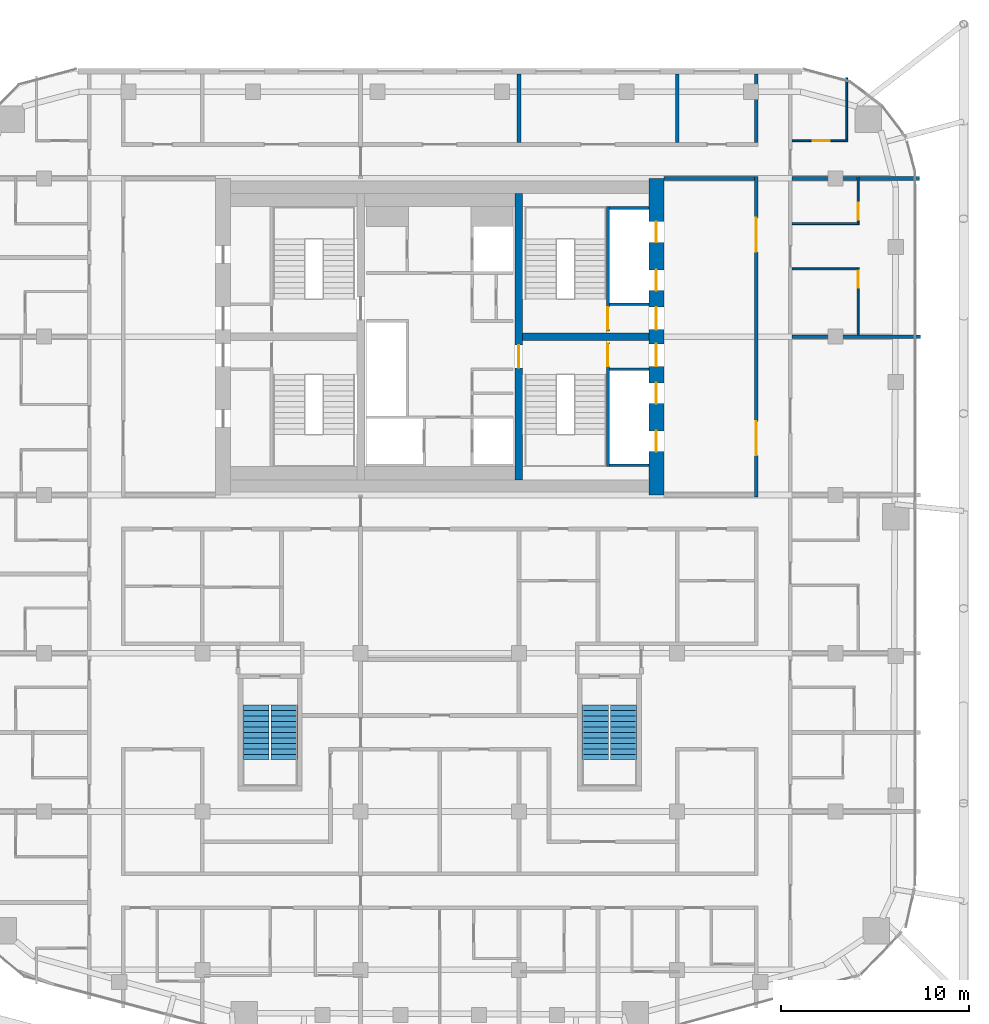
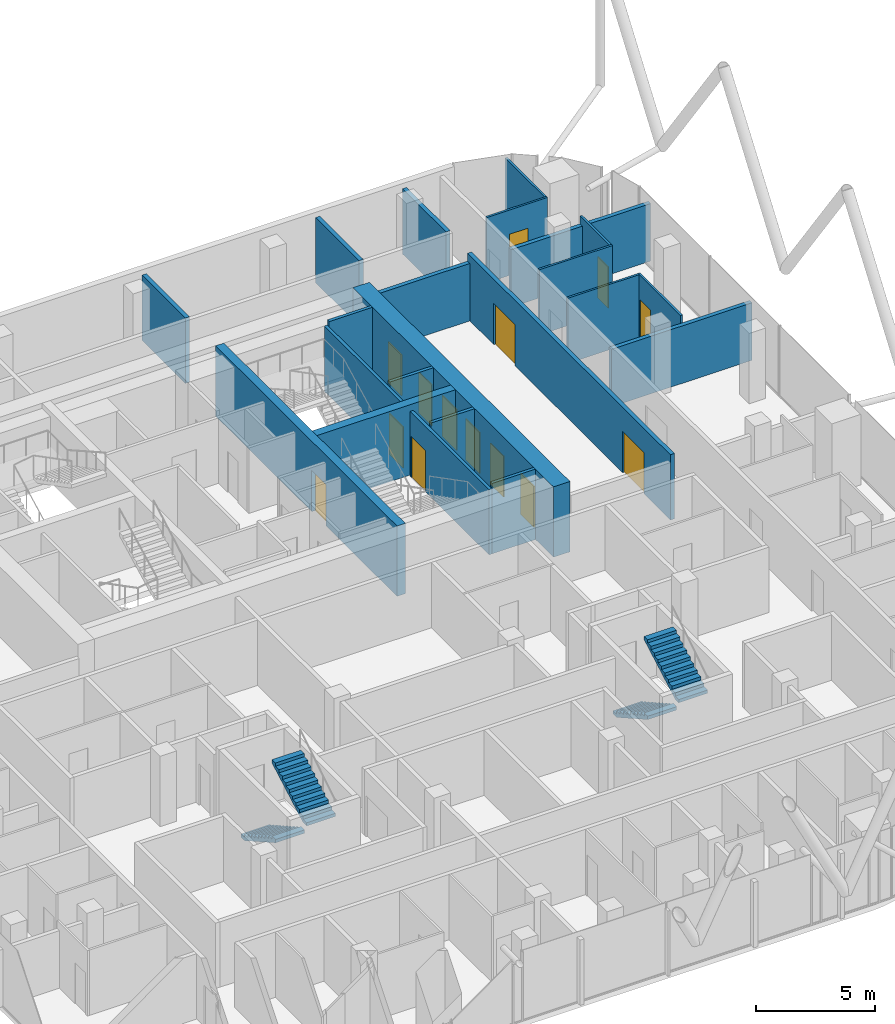
# One storey, part 29 of 31: 22 walls, 14 doors, 4 stair flights, 14 openings, 2 elements without a shape of their own.
"""IFC4 building model written with IfcOpenShell, lengths in metres."""

from ifc_helpers import new_model, si_unit, direction, frame, frame_2d, origin, place, context, subcontext, project, spatial, polyline, rectangle, outline, extrude, material, layer, layer_set, type_object, element, fill, aggregate, save


model = new_model("IFC4")

# Units and contexts
model_context = context("Model", 3, precision=1e-05, world=origin(), true_north=direction((0.0, 1.0)))
body_context = subcontext(model_context, "Body", "Model", "MODEL_VIEW")
ifc_project = project(units=[si_unit("LENGTHUNIT", "METRE"), si_unit("AREAUNIT", "SQUARE_METRE"), si_unit("VOLUMEUNIT", "CUBIC_METRE"), si_unit("PLANEANGLEUNIT", "RADIAN"), si_unit("MASSUNIT", "GRAM", prefix="KILO")], contexts=[model_context])

# Site, building, storey
site_placement = place(None, origin())
site = spatial("IfcSite", under=ifc_project, at=site_placement, CompositionType="ELEMENT")
building_placement = place(site_placement, origin())
building = spatial("IfcBuilding", under=site, at=building_placement, Name="Marenta Gate Hotel Tower", CompositionType="ELEMENT")
storey_placement = place(building_placement, frame((0.0, 0.0, 220.10009765625)))
storey = spatial("IfcBuildingStorey", under=building, at=storey_placement, Name="L51", CompositionType="ELEMENT", Elevation=220.10009765625)

# Wall, openings, doors
ifc_material_1 = material(Name="Concrete blockwork", Category="masonry")
ifc_layer_1 = layer(ifc_material_1, 0.199951171875)
ifc_layer_set_1 = layer_set([ifc_layer_1], Name="Concrete blockwork")
wall_type_1 = type_object("IfcWallType", Name="Core boundary wall 200 REI 180", PredefinedType="PARTITIONING", material=ifc_layer_set_1)
wall_1_placement = place(storey_placement, frame((16.800048828125, -0.10009765625, 0.0), z_axis=(0.0, 0.0, 1.0), x_axis=(0.0, 1.0, 0.0)))
wall_1 = element("IfcWall", 1, at=wall_1_placement, inside=storey, type_object=wall_type_1, Name="L51-CP-BW-E", PredefinedType="PARTITIONING", context=body_context, shape_type="SweptSolid", body=[
    extrude(rectangle(XDim=17.0, YDim=0.199951171875, at=frame_2d((8.5, 0.0))), origin(), (0.0, 0.0, 1.0), 3.33984375),
])
opening_1_placement = place(wall_1_placement, frame((2.199951171875, 0.0, 0.0)))
opening_1 = element("IfcOpeningElement", 2, at=opening_1_placement, cuts=wall_1, Name="Opening ED-Ea-B", PredefinedType="OPENING", context=body_context, shape_type="SweptSolid", body=[
    extrude(rectangle(XDim=1.800048828125, YDim=2.10009765625, at=frame_2d((0.89990234375, 1.050048828125))), frame((0.0, 0.10009765625, 0.0), z_axis=(0.0, -1.0, 0.0), x_axis=(1.0, 0.0, 0.0)), (0.0, 0.0, 1.0), 0.199951171875),
])
opening_2_placement = place(wall_1_placement, frame((13.0, 0.0, 0.0)))
opening_2 = element("IfcOpeningElement", 3, at=opening_2_placement, cuts=wall_1, Name="Opening ED-Eb-B", PredefinedType="OPENING", context=body_context, shape_type="SweptSolid", body=[
    extrude(rectangle(XDim=1.800048828125, YDim=2.10009765625, at=frame_2d((0.89990234375, 1.050048828125))), frame((0.0, 0.10009765625, 0.0), z_axis=(0.0, -1.0, 0.0), x_axis=(1.0, 0.0, 0.0)), (0.0, 0.0, 1.0), 0.199951171875),
])
ifc_material_2 = material(Name="Steel", Category="steel")
door_type_1 = type_object("IfcDoorType", Name="Core lobby entrance door 1800x2100 EI 60", OperationType="DOUBLE_DOOR_SINGLE_SWING", PredefinedType="DOOR", material=ifc_material_2)
door_1_placement = place(opening_1_placement, origin())
door_1 = element("IfcDoor", 4, at=door_1_placement, inside=storey, type_object=door_type_1, Name="ED-Ea-B", OperationType="DOUBLE_DOOR_SINGLE_SWING", OverallHeight=2.10009765625, OverallWidth=1.800048828125, PredefinedType="DOOR", context=body_context, shape_type="SweptSolid", body=[
    extrude(rectangle(XDim=1.800048828125, YDim=2.10009765625, at=frame_2d((0.89990234375, 1.050048828125))), frame((0.0, 0.02490234375, 0.0), z_axis=(0.0, -1.0, 0.0), x_axis=(1.0, 0.0, 0.0)), (0.0, 0.0, 1.0), 0.050048828125),
])
fill(opening_1, door_1)
door_2_placement = place(opening_2_placement, origin())
door_2 = element("IfcDoor", 5, at=door_2_placement, inside=storey, type_object=door_type_1, Name="ED-Eb-B", OperationType="DOUBLE_DOOR_SINGLE_SWING", OverallHeight=2.10009765625, OverallWidth=1.800048828125, PredefinedType="DOOR", context=body_context, shape_type="SweptSolid", body=[
    extrude(rectangle(XDim=1.800048828125, YDim=2.10009765625, at=frame_2d((0.89990234375, 1.050048828125))), frame((0.0, 0.02490234375, 0.0), z_axis=(0.0, -1.0, 0.0), x_axis=(1.0, 0.0, 0.0)), (0.0, 0.0, 1.0), 0.050048828125),
])
fill(opening_2, door_2)

# Walls
wall_2_placement = place(storey_placement, frame((11.89990234375, 16.800048828125, 0.0), z_axis=(0.0, 0.0, 1.0), x_axis=(1.0, 0.0, 0.0)))
element("IfcWall", 6, at=wall_2_placement, inside=storey, type_object=wall_type_1, Name="L51-CP-EW-EN", PredefinedType="PARTITIONING", context=body_context, shape_type="SweptSolid", body=[
    extrude(rectangle(XDim=4.800048828125, YDim=0.199951171875, at=frame_2d((2.39990234375, 0.0))), origin(), (0.0, 0.0, 1.0), 2.93994140625),
])
ifc_material_3 = material(Name="Concrete C40", Category="concrete")
ifc_layer_2 = layer(ifc_material_3, 0.14990234375)
ifc_layer_set_2 = layer_set([ifc_layer_2], Name="Concrete C40")
wall_type_2 = type_object("IfcWallType", Name="Core shaft wall 150 REI 180", PredefinedType="SHEAR", material=ifc_layer_set_2)
for number, where, z_axis, x_axis, name in (
    (7, (9.0, 6.675048828125, 0.0), (0.0, 0.0, 1.0), (1.0, 0.0, 0.0), "L51-SHF-SW-ES-2"),
    (8, (9.0, 1.574951171875, 0.0), (0.0, 0.0, 1.0), (1.0, 0.0, 0.0), "L51-SHF-SW-ES-5"),
    (9, (9.0, 10.125, 0.0), (0.0, 0.0, 1.0), (1.0, 0.0, 0.0), "L51-SHF-SW-EN-2"),
    (10, (9.0, 15.22509765625, 0.0), (0.0, 0.0, 1.0), (1.0, 0.0, 0.0), "L51-SHF-SW-EN-5"),
):
    element("IfcWall", number, at=place(storey_placement, frame(where, z_axis=z_axis, x_axis=x_axis)), inside=storey, type_object=wall_type_2, Name=name, PredefinedType="SHEAR", context=body_context, shape_type="SweptSolid", body=[
        extrude(rectangle(XDim=2.10009765625, YDim=0.14990234375, at=frame_2d((1.050048828125, 0.0))), origin(), (0.0, 0.0, 1.0), 3.599853515625),
    ])

# Wall, opening, door
ifc_material_4 = material(Name="Concrete C40", Category="concrete")
ifc_layer_3 = layer(ifc_material_4, 0.14990234375)
ifc_layer_set_3 = layer_set([ifc_layer_3], Name="Concrete C40")
wall_type_3 = type_object("IfcWallType", Name="Core stair enclosure wall 150 REI 180", PredefinedType="SHEAR", material=ifc_layer_set_3)
wall_3_placement = place(storey_placement, frame((8.925048828125, 1.5, 0.0), z_axis=(0.0, 0.0, 1.0), x_axis=(0.0, 1.0, 0.0)))
wall_3 = element("IfcWall", 11, at=wall_3_placement, inside=storey, type_object=wall_type_3, Name="L51-SHF-SW-ES-3", PredefinedType="SHEAR", context=body_context, shape_type="SweptSolid", body=[
    extrude(rectangle(XDim=6.60009765625, YDim=0.14990234375, at=frame_2d((3.300048828125, 0.0))), origin(), (0.0, 0.0, 1.0), 3.33984375),
])
opening_3_placement = place(wall_3_placement, frame((5.324951171875, 0.0, 0.0)))
opening_3 = element("IfcOpeningElement", 12, at=opening_3_placement, cuts=wall_3, Name="Opening SD-ES", PredefinedType="OPENING", context=body_context, shape_type="SweptSolid", body=[
    extrude(rectangle(XDim=1.199951171875, YDim=2.10009765625, at=frame_2d((0.60009765625, 1.050048828125))), frame((0.0, 0.074951171875, 0.0), z_axis=(0.0, -1.0, 0.0), x_axis=(1.0, 0.0, 0.0)), (0.0, 0.0, 1.0), 0.14990234375),
])
ifc_material_5 = material(Name="Steel", Category="steel")
door_type_2 = type_object("IfcDoorType", Name="Core stair door 1200x2100 FD60", OperationType="SINGLE_SWING_LEFT", PredefinedType="DOOR", material=ifc_material_5)
door_3_placement = place(opening_3_placement, origin())
door_3 = element("IfcDoor", 13, at=door_3_placement, inside=storey, type_object=door_type_2, Name="SD-ES", OperationType="SINGLE_SWING_LEFT", OverallHeight=2.10009765625, OverallWidth=1.199951171875, PredefinedType="DOOR", context=body_context, shape_type="SweptSolid", body=[
    extrude(rectangle(XDim=1.199951171875, YDim=2.10009765625, at=frame_2d((0.60009765625, 1.050048828125))), frame((0.0, 0.02490234375, 0.0), z_axis=(0.0, -1.0, 0.0), x_axis=(1.0, 0.0, 0.0)), (0.0, 0.0, 1.0), 0.050048828125),
])
fill(opening_3, door_3)

wall_4_placement = place(storey_placement, frame((8.925048828125, 8.699951171875, 0.0), z_axis=(0.0, 0.0, 1.0), x_axis=(0.0, 1.0, 0.0)))
wall_4 = element("IfcWall", 14, at=wall_4_placement, inside=storey, type_object=wall_type_3, Name="L51-SHF-SW-EN-3", PredefinedType="SHEAR", context=body_context, shape_type="SweptSolid", body=[
    extrude(rectangle(XDim=6.60009765625, YDim=0.14990234375, at=frame_2d((3.300048828125, 0.0))), origin(), (0.0, 0.0, 1.0), 3.33984375),
])
opening_4_placement = place(wall_4_placement, frame((0.074951171875, 0.0, 0.0)))
opening_4 = element("IfcOpeningElement", 15, at=opening_4_placement, cuts=wall_4, Name="Opening SD-EN", PredefinedType="OPENING", context=body_context, shape_type="SweptSolid", body=[
    extrude(rectangle(XDim=1.199951171875, YDim=2.10009765625, at=frame_2d((0.60009765625, 1.050048828125))), frame((0.0, 0.074951171875, 0.0), z_axis=(0.0, -1.0, 0.0), x_axis=(1.0, 0.0, 0.0)), (0.0, 0.0, 1.0), 0.14990234375),
])
door_4_placement = place(opening_4_placement, origin())
door_4 = element("IfcDoor", 16, at=door_4_placement, inside=storey, type_object=door_type_2, Name="SD-EN", OperationType="SINGLE_SWING_LEFT", OverallHeight=2.10009765625, OverallWidth=1.199951171875, PredefinedType="DOOR", context=body_context, shape_type="SweptSolid", body=[
    extrude(rectangle(XDim=1.199951171875, YDim=2.10009765625, at=frame_2d((0.60009765625, 1.050048828125))), frame((0.0, 0.02490234375, 0.0), z_axis=(0.0, -1.0, 0.0), x_axis=(1.0, 0.0, 0.0)), (0.0, 0.0, 1.0), 0.050048828125),
])
fill(opening_4, door_4)

# Wall, openings, doors
ifc_material_6 = material(Name="Concrete C60", Category="concrete")
ifc_layer_4 = layer(ifc_material_6, 0.800048828125)
ifc_layer_set_4 = layer_set([ifc_layer_4], Name="Concrete C60")
wall_type_4 = type_object("IfcWallType", Name="Core wall 800 C60", PredefinedType="SHEAR", material=ifc_layer_set_4)
wall_5_placement = place(storey_placement, frame((11.5, 0.0, 0.0), z_axis=(0.0, 0.0, 1.0), x_axis=(0.0, 1.0, 0.0)))
wall_5 = element("IfcWall", 17, at=wall_5_placement, inside=storey, type_object=wall_type_4, Name="L51-CORE-E", PredefinedType="SHEAR", context=body_context, shape_type="SweptSolid", body=[
    extrude(rectangle(XDim=16.800048828125, YDim=0.800048828125, at=frame_2d((8.39990234375, 0.0))), origin(), (0.0, 0.0, 1.0), 3.599853515625),
])
opening_5_placement = place(wall_5_placement, frame((2.300048828125, 0.0, 0.0)))
opening_5 = element("IfcOpeningElement", 18, at=opening_5_placement, cuts=wall_5, Name="Opening LD-HR1", PredefinedType="OPENING", context=body_context, shape_type="SweptSolid", body=[
    extrude(rectangle(XDim=1.10009765625, YDim=2.10009765625, at=frame_2d((0.550048828125, 1.050048828125))), frame((0.0, 0.39990234375, 0.0), z_axis=(0.0, -1.0, 0.0), x_axis=(1.0, 0.0, 0.0)), (0.0, 0.0, 1.0), 0.800048828125),
])
opening_6_placement = place(wall_5_placement, frame((4.85009765625, 0.0, 0.0)))
opening_6 = element("IfcOpeningElement", 19, at=opening_6_placement, cuts=wall_5, Name="Opening LD-HR2", PredefinedType="OPENING", context=body_context, shape_type="SweptSolid", body=[
    extrude(rectangle(XDim=1.10009765625, YDim=2.10009765625, at=frame_2d((0.550048828125, 1.050048828125))), frame((0.0, 0.39990234375, 0.0), z_axis=(0.0, -1.0, 0.0), x_axis=(1.0, 0.0, 0.0)), (0.0, 0.0, 1.0), 0.800048828125),
])
opening_7_placement = place(wall_5_placement, frame((6.824951171875, 0.0, 0.0)))
opening_7 = element("IfcOpeningElement", 20, at=opening_7_placement, cuts=wall_5, Name="Opening PD-ES", PredefinedType="OPENING", context=body_context, shape_type="SweptSolid", body=[
    extrude(rectangle(XDim=1.199951171875, YDim=2.10009765625, at=frame_2d((0.60009765625, 1.050048828125))), frame((0.0, 0.39990234375, 0.0), z_axis=(0.0, -1.0, 0.0), x_axis=(1.0, 0.0, 0.0)), (0.0, 0.0, 1.0), 0.800048828125),
])
opening_8_placement = place(wall_5_placement, frame((13.39990234375, 0.0, 0.0)))
opening_8 = element("IfcOpeningElement", 21, at=opening_8_placement, cuts=wall_5, Name="Opening LD-HR4", PredefinedType="OPENING", context=body_context, shape_type="SweptSolid", body=[
    extrude(rectangle(XDim=1.10009765625, YDim=2.10009765625, at=frame_2d((0.550048828125, 1.050048828125))), frame((0.0, 0.39990234375, 0.0), z_axis=(0.0, -1.0, 0.0), x_axis=(1.0, 0.0, 0.0)), (0.0, 0.0, 1.0), 0.800048828125),
])
opening_9_placement = place(wall_5_placement, frame((10.85009765625, 0.0, 0.0)))
opening_9 = element("IfcOpeningElement", 22, at=opening_9_placement, cuts=wall_5, Name="Opening LD-HR3", PredefinedType="OPENING", context=body_context, shape_type="SweptSolid", body=[
    extrude(rectangle(XDim=1.10009765625, YDim=2.10009765625, at=frame_2d((0.550048828125, 1.050048828125))), frame((0.0, 0.39990234375, 0.0), z_axis=(0.0, -1.0, 0.0), x_axis=(1.0, 0.0, 0.0)), (0.0, 0.0, 1.0), 0.800048828125),
])
opening_10_placement = place(wall_5_placement, frame((8.77490234375, 0.0, 0.0)))
opening_10 = element("IfcOpeningElement", 23, at=opening_10_placement, cuts=wall_5, Name="Opening PD-EN", PredefinedType="OPENING", context=body_context, shape_type="SweptSolid", body=[
    extrude(rectangle(XDim=1.199951171875, YDim=2.10009765625, at=frame_2d((0.60009765625, 1.050048828125))), frame((0.0, 0.39990234375, 0.0), z_axis=(0.0, -1.0, 0.0), x_axis=(1.0, 0.0, 0.0)), (0.0, 0.0, 1.0), 0.800048828125),
])
ifc_material_7 = material(Name="Steel", Category="steel")
door_type_3 = type_object("IfcDoorType", Name="Core lift landing door 1100x2100 E 60", OperationType="SLIDING_TO_LEFT", PredefinedType="DOOR", material=ifc_material_7)
door_5_placement = place(opening_5_placement, origin())
door_5 = element("IfcDoor", 24, at=door_5_placement, inside=storey, type_object=door_type_3, Name="LD-HR1", OperationType="SLIDING_TO_LEFT", OverallHeight=2.10009765625, OverallWidth=1.10009765625, PredefinedType="DOOR", context=body_context, shape_type="SweptSolid", body=[
    extrude(rectangle(XDim=1.10009765625, YDim=2.10009765625, at=frame_2d((0.550048828125, 1.050048828125))), frame((0.0, 0.02490234375, 0.0), z_axis=(0.0, -1.0, 0.0), x_axis=(1.0, 0.0, 0.0)), (0.0, 0.0, 1.0), 0.050048828125),
])
fill(opening_5, door_5)
door_6_placement = place(opening_6_placement, origin())
door_6 = element("IfcDoor", 25, at=door_6_placement, inside=storey, type_object=door_type_3, Name="LD-HR2", OperationType="SLIDING_TO_LEFT", OverallHeight=2.10009765625, OverallWidth=1.10009765625, PredefinedType="DOOR", context=body_context, shape_type="SweptSolid", body=[
    extrude(rectangle(XDim=1.10009765625, YDim=2.10009765625, at=frame_2d((0.550048828125, 1.050048828125))), frame((0.0, 0.02490234375, 0.0), z_axis=(0.0, -1.0, 0.0), x_axis=(1.0, 0.0, 0.0)), (0.0, 0.0, 1.0), 0.050048828125),
])
fill(opening_6, door_6)
door_7_placement = place(opening_8_placement, origin())
door_7 = element("IfcDoor", 26, at=door_7_placement, inside=storey, type_object=door_type_3, Name="LD-HR4", OperationType="SLIDING_TO_LEFT", OverallHeight=2.10009765625, OverallWidth=1.10009765625, PredefinedType="DOOR", context=body_context, shape_type="SweptSolid", body=[
    extrude(rectangle(XDim=1.10009765625, YDim=2.10009765625, at=frame_2d((0.550048828125, 1.050048828125))), frame((0.0, 0.02490234375, 0.0), z_axis=(0.0, -1.0, 0.0), x_axis=(1.0, 0.0, 0.0)), (0.0, 0.0, 1.0), 0.050048828125),
])
fill(opening_8, door_7)
door_8_placement = place(opening_9_placement, origin())
door_8 = element("IfcDoor", 27, at=door_8_placement, inside=storey, type_object=door_type_3, Name="LD-HR3", OperationType="SLIDING_TO_LEFT", OverallHeight=2.10009765625, OverallWidth=1.10009765625, PredefinedType="DOOR", context=body_context, shape_type="SweptSolid", body=[
    extrude(rectangle(XDim=1.10009765625, YDim=2.10009765625, at=frame_2d((0.550048828125, 1.050048828125))), frame((0.0, 0.02490234375, 0.0), z_axis=(0.0, -1.0, 0.0), x_axis=(1.0, 0.0, 0.0)), (0.0, 0.0, 1.0), 0.050048828125),
])
fill(opening_9, door_8)
ifc_material_8 = material(Name="Steel", Category="steel")
door_type_4 = type_object("IfcDoorType", Name="Core lobby door 1200x2100 FD60", OperationType="SINGLE_SWING_LEFT", PredefinedType="DOOR", material=ifc_material_8)
door_9_placement = place(opening_7_placement, origin())
door_9 = element("IfcDoor", 28, at=door_9_placement, inside=storey, type_object=door_type_4, Name="PD-ES", OperationType="SINGLE_SWING_LEFT", OverallHeight=2.10009765625, OverallWidth=1.199951171875, PredefinedType="DOOR", context=body_context, shape_type="SweptSolid", body=[
    extrude(rectangle(XDim=1.199951171875, YDim=2.10009765625, at=frame_2d((0.60009765625, 1.050048828125))), frame((0.0, 0.02490234375, 0.0), z_axis=(0.0, -1.0, 0.0), x_axis=(1.0, 0.0, 0.0)), (0.0, 0.0, 1.0), 0.050048828125),
])
fill(opening_7, door_9)
door_10_placement = place(opening_10_placement, origin())
door_10 = element("IfcDoor", 29, at=door_10_placement, inside=storey, type_object=door_type_4, Name="PD-EN", OperationType="SINGLE_SWING_LEFT", OverallHeight=2.10009765625, OverallWidth=1.199951171875, PredefinedType="DOOR", context=body_context, shape_type="SweptSolid", body=[
    extrude(rectangle(XDim=1.199951171875, YDim=2.10009765625, at=frame_2d((0.60009765625, 1.050048828125))), frame((0.0, 0.02490234375, 0.0), z_axis=(0.0, -1.0, 0.0), x_axis=(1.0, 0.0, 0.0)), (0.0, 0.0, 1.0), 0.050048828125),
])
fill(opening_10, door_10)

# Wall, opening, door
ifc_material_9 = material(Name="Concrete C60", Category="concrete")
ifc_layer_5 = layer(ifc_material_9, 0.39990234375)
ifc_layer_set_5 = layer_set([ifc_layer_5], Name="Concrete C60")
wall_type_5 = type_object("IfcWallType", Name="Core web 400 C60", PredefinedType="SHEAR", material=ifc_layer_set_5)
wall_6_placement = place(storey_placement, frame((4.199951171875, 0.800048828125, 0.0), z_axis=(0.0, 0.0, 1.0), x_axis=(0.0, 1.0, 0.0)))
wall_6 = element("IfcWall", 30, at=wall_6_placement, inside=storey, type_object=wall_type_5, Name="L51-CORE-W2", PredefinedType="SHEAR", context=body_context, shape_type="SweptSolid", body=[
    extrude(rectangle(XDim=15.199951171875, YDim=0.39990234375, at=frame_2d((7.60009765625, 0.0))), origin(), (0.0, 0.0, 1.0), 3.599853515625),
])
opening_11_placement = place(wall_6_placement, frame((5.949951171875, 0.0, 0.0)))
opening_11 = element("IfcOpeningElement", 31, at=opening_11_placement, cuts=wall_6, Name="Opening WD-E", PredefinedType="OPENING", context=body_context, shape_type="SweptSolid", body=[
    extrude(rectangle(XDim=1.199951171875, YDim=2.10009765625, at=frame_2d((0.60009765625, 1.050048828125))), frame((0.0, 0.199951171875, 0.0), z_axis=(0.0, -1.0, 0.0), x_axis=(1.0, 0.0, 0.0)), (0.0, 0.0, 1.0), 0.39990234375),
])
door_11_placement = place(opening_11_placement, origin())
door_11 = element("IfcDoor", 32, at=door_11_placement, inside=storey, type_object=door_type_2, Name="WD-E", OperationType="SINGLE_SWING_LEFT", OverallHeight=2.10009765625, OverallWidth=1.199951171875, PredefinedType="DOOR", context=body_context, shape_type="SweptSolid", body=[
    extrude(rectangle(XDim=1.199951171875, YDim=2.10009765625, at=frame_2d((0.60009765625, 1.050048828125))), frame((0.0, 0.02490234375, 0.0), z_axis=(0.0, -1.0, 0.0), x_axis=(1.0, 0.0, 0.0)), (0.0, 0.0, 1.0), 0.050048828125),
])
fill(opening_11, door_11)

# Walls
wall_7_placement = place(storey_placement, frame((4.39990234375, 8.39990234375, 0.0), z_axis=(0.0, 0.0, 1.0), x_axis=(1.0, 0.0, 0.0)))
element("IfcWall", 33, at=wall_7_placement, inside=storey, type_object=wall_type_5, Name="L51-CORE-W4", PredefinedType="SHEAR", context=body_context, shape_type="SweptSolid", body=[
    extrude(rectangle(XDim=6.7001953125, YDim=0.39990234375, at=frame_2d((3.35009765625, 0.0))), origin(), (0.0, 0.0, 1.0), 3.599853515625),
])
ifc_material_10 = material(Name="Gypsum board on steel stud", Category="steel")
ifc_layer_6 = layer(ifc_material_10, 0.199951171875)
ifc_layer_set_6 = layer_set([ifc_layer_6], Name="Gypsum board on steel stud")
wall_type_6 = type_object("IfcWallType", Name="Room corridor wall 200 EI 60", PredefinedType="PARTITIONING", material=ifc_layer_set_6)
wall_8_placement = place(storey_placement, frame((16.800048828125, 18.699951171875, 0.0), z_axis=(0.0, 0.0, 1.0), x_axis=(0.0, 1.0, 0.0)))
element("IfcWall", 34, at=wall_8_placement, inside=storey, type_object=wall_type_6, Name="L51-PTN-W027", PredefinedType="PARTITIONING", context=body_context, shape_type="SweptSolid", body=[
    extrude(rectangle(XDim=3.64013671875, YDim=0.199951171875, at=frame_2d((1.820068359375, 0.0))), origin(), (0.0, 0.0, 1.0), 3.33984375),
])

# Wall, opening, door
ifc_material_11 = material(Name="Gypsum board on steel stud", Category="steel")
ifc_layer_7 = layer(ifc_material_11, 0.10009765625)
ifc_layer_set_7 = layer_set([ifc_layer_7], Name="Gypsum board on steel stud")
wall_type_7 = type_object("IfcWallType", Name="Room partition 100", PredefinedType="PARTITIONING", material=ifc_layer_set_7)
wall_9_placement = place(storey_placement, frame((22.199951171875, 8.5, 0.0), z_axis=(0.0, 0.0, 1.0), x_axis=(0.0, 1.0, 0.0)))
wall_9 = element("IfcWall", 35, at=wall_9_placement, inside=storey, type_object=wall_type_7, Name="L51-PTN-W012", PredefinedType="PARTITIONING", context=body_context, shape_type="SweptSolid", body=[
    extrude(rectangle(XDim=3.550048828125, YDim=0.10009765625, at=frame_2d((1.77490234375, 0.0))), origin(), (0.0, 0.0, 1.0), 3.33984375),
])
opening_12_placement = place(wall_9_placement, frame((2.5, 0.0, 0.0)))
opening_12 = element("IfcOpeningElement", 36, at=opening_12_placement, cuts=wall_9, Name="Opening G19-27", PredefinedType="OPENING", context=body_context, shape_type="SweptSolid", body=[
    extrude(rectangle(XDim=0.89990234375, YDim=2.10009765625, at=frame_2d((0.449951171875, 1.050048828125))), frame((0.0, 0.050048828125, 0.0), z_axis=(0.0, -1.0, 0.0), x_axis=(1.0, 0.0, 0.0)), (0.0, 0.0, 1.0), 0.10009765625),
])
ifc_material_12 = material(Name="Timber door leaf", Category="wood")
door_type_5 = type_object("IfcDoorType", Name="Guest bathroom door 900x2100", OperationType="NOTDEFINED", PredefinedType="DOOR", material=ifc_material_12)
door_12_placement = place(opening_12_placement, origin())
door_12 = element("IfcDoor", 37, at=door_12_placement, inside=storey, type_object=door_type_5, Name="L51-PD-D027", OperationType="SINGLE_SWING_RIGHT", OverallHeight=2.10009765625, OverallWidth=0.89990234375, PredefinedType="DOOR", context=body_context, shape_type="SweptSolid", body=[
    extrude(rectangle(XDim=0.89990234375, YDim=2.10009765625, at=frame_2d((0.449951171875, 1.050048828125))), frame((0.0, 0.02490234375, 0.0), z_axis=(0.0, -1.0, 0.0), x_axis=(1.0, 0.0, 0.0)), (0.0, 0.0, 1.0), 0.050048828125),
])
fill(opening_12, door_12)

wall_10_placement = place(storey_placement, frame((22.199951171875, 14.449951171875, 0.0), z_axis=(0.0, 0.0, 1.0), x_axis=(0.0, 1.0, 0.0)))
wall_10 = element("IfcWall", 38, at=wall_10_placement, inside=storey, type_object=wall_type_7, Name="L51-PTN-W013", PredefinedType="PARTITIONING", context=body_context, shape_type="SweptSolid", body=[
    extrude(rectangle(XDim=2.449951171875, YDim=0.10009765625, at=frame_2d((1.22509765625, 0.0))), origin(), (0.0, 0.0, 1.0), 3.33984375),
])
opening_13_placement = place(wall_10_placement, frame((0.14990234375, 0.0, 0.0)))
opening_13 = element("IfcOpeningElement", 39, at=opening_13_placement, cuts=wall_10, Name="Opening G19-28", PredefinedType="OPENING", context=body_context, shape_type="SweptSolid", body=[
    extrude(rectangle(XDim=0.89990234375, YDim=2.10009765625, at=frame_2d((0.449951171875, 1.050048828125))), frame((0.0, 0.050048828125, 0.0), z_axis=(0.0, -1.0, 0.0), x_axis=(1.0, 0.0, 0.0)), (0.0, 0.0, 1.0), 0.10009765625),
])
ifc_material_13 = material(Name="Timber door leaf", Category="wood")
door_type_6 = type_object("IfcDoorType", Name="Room inner door 900x2100", OperationType="NOTDEFINED", PredefinedType="DOOR", material=ifc_material_13)
door_13_placement = place(opening_13_placement, origin())
door_13 = element("IfcDoor", 40, at=door_13_placement, inside=storey, type_object=door_type_6, Name="L51-PD-D028", OperationType="SINGLE_SWING_LEFT", OverallHeight=2.10009765625, OverallWidth=0.89990234375, PredefinedType="DOOR", context=body_context, shape_type="SweptSolid", body=[
    extrude(rectangle(XDim=0.89990234375, YDim=2.10009765625, at=frame_2d((0.449951171875, 1.050048828125))), frame((0.0, 0.02490234375, 0.0), z_axis=(0.0, -1.0, 0.0), x_axis=(1.0, 0.0, 0.0)), (0.0, 0.0, 1.0), 0.050048828125),
])
fill(opening_13, door_13)

# Walls
wall_11_placement = place(storey_placement, frame((21.60009765625, 18.85009765625, 0.0), z_axis=(0.0, 0.0, 1.0), x_axis=(0.0, 1.0, 0.0)))
element("IfcWall", 41, at=wall_11_placement, inside=storey, type_object=wall_type_7, Name="L51-PTN-W017", PredefinedType="PARTITIONING", context=body_context, shape_type="SweptSolid", body=[
    extrude(rectangle(XDim=3.294921875, YDim=0.10009765625, at=frame_2d((1.6474609375, 0.0))), origin(), (0.0, 0.0, 1.0), 3.33984375),
])
wall_12_placement = place(storey_placement, frame((18.699951171875, 12.0, 0.0), z_axis=(0.0, 0.0, 1.0), x_axis=(1.0, 0.0, 0.0)))
element("IfcWall", 42, at=wall_12_placement, inside=storey, type_object=wall_type_7, Name="L51-PTN-W094", PredefinedType="PARTITIONING", context=body_context, shape_type="SweptSolid", body=[
    extrude(rectangle(XDim=3.449951171875, YDim=0.10009765625, at=frame_2d((1.72509765625, 0.0))), origin(), (0.0, 0.0, 1.0), 3.33984375),
])
wall_13_placement = place(storey_placement, frame((18.699951171875, 14.39990234375, 0.0), z_axis=(0.0, 0.0, 1.0), x_axis=(1.0, 0.0, 0.0)))
element("IfcWall", 43, at=wall_13_placement, inside=storey, type_object=wall_type_7, Name="L51-PTN-W102", PredefinedType="PARTITIONING", context=body_context, shape_type="SweptSolid", body=[
    extrude(rectangle(XDim=3.550048828125, YDim=0.10009765625, at=frame_2d((1.77490234375, 0.0))), origin(), (0.0, 0.0, 1.0), 3.33984375),
])

# Wall, opening, door
wall_14_placement = place(storey_placement, frame((18.699951171875, 18.800048828125, 0.0), z_axis=(0.0, 0.0, 1.0), x_axis=(1.0, 0.0, 0.0)))
wall_14 = element("IfcWall", 44, at=wall_14_placement, inside=storey, type_object=wall_type_7, Name="L51-PTN-W113", PredefinedType="PARTITIONING", context=body_context, shape_type="SweptSolid", body=[
    extrude(rectangle(XDim=2.949951171875, YDim=0.10009765625, at=frame_2d((1.47509765625, 0.0))), origin(), (0.0, 0.0, 1.0), 3.33984375),
])
opening_14_placement = place(wall_14_placement, frame((1.10009765625, 0.0, 0.0)))
opening_14 = element("IfcOpeningElement", 45, at=opening_14_placement, cuts=wall_14, Name="Opening G19-30", PredefinedType="OPENING", context=body_context, shape_type="SweptSolid", body=[
    extrude(rectangle(XDim=0.89990234375, YDim=2.10009765625, at=frame_2d((0.449951171875, 1.050048828125))), frame((0.0, 0.050048828125, 0.0), z_axis=(0.0, -1.0, 0.0), x_axis=(1.0, 0.0, 0.0)), (0.0, 0.0, 1.0), 0.10009765625),
])
door_14_placement = place(opening_14_placement, origin())
door_14 = element("IfcDoor", 46, at=door_14_placement, inside=storey, type_object=door_type_5, Name="L51-PD-D030", OperationType="SINGLE_SWING_RIGHT", OverallHeight=2.10009765625, OverallWidth=0.89990234375, PredefinedType="DOOR", context=body_context, shape_type="SweptSolid", body=[
    extrude(rectangle(XDim=0.89990234375, YDim=2.10009765625, at=frame_2d((0.449951171875, 1.050048828125))), frame((0.0, 0.02490234375, 0.0), z_axis=(0.0, -1.0, 0.0), x_axis=(1.0, 0.0, 0.0)), (0.0, 0.0, 1.0), 0.050048828125),
])
fill(opening_14, door_14)

# Walls
ifc_material_14 = material(Name="Gypsum board on steel stud", Category="steel")
ifc_layer_8 = layer(ifc_material_14, 0.199951171875)
ifc_layer_set_8 = layer_set([ifc_layer_8], Name="Gypsum board on steel stud")
wall_type_8 = type_object("IfcWallType", Name="Room party wall 200 EI 60", PredefinedType="PARTITIONING", material=ifc_layer_set_8)
for number, where, z_axis, x_axis, name in (
    (47, (12.60009765625, 18.699951171875, 0.0), (0.0, 0.0, 1.0), (0.0, 1.0, 0.0), "L51-PTN-W039"),
    (48, (4.199951171875, 18.699951171875, 0.0), (0.0, 0.0, 1.0), (0.0, 1.0, 0.0), "L51-PTN-W069"),
):
    element("IfcWall", number, at=place(storey_placement, frame(where, z_axis=z_axis, x_axis=x_axis)), inside=storey, type_object=wall_type_8, Name=name, PredefinedType="PARTITIONING", context=body_context, shape_type="SweptSolid", body=[
        extrude(rectangle(XDim=3.64013671875, YDim=0.199951171875, at=frame_2d((1.820068359375, 0.0))), origin(), (0.0, 0.0, 1.0), 3.33984375),
    ])
wall_15_placement = place(storey_placement, frame((18.699951171875, 8.39990234375, 0.0), z_axis=(0.0, 0.0, 1.0), x_axis=(1.0, 0.0, 0.0)))
element("IfcWall", 49, at=wall_15_placement, inside=storey, type_object=wall_type_8, Name="L51-PTN-W090", PredefinedType="PARTITIONING", context=body_context, shape_type="SweptSolid", body=[
    extrude(rectangle(XDim=6.800048828125, YDim=0.199951171875, at=frame_2d((3.39990234375, 0.0))), origin(), (0.0, 0.0, 1.0), 2.93994140625),
])
wall_16_placement = place(storey_placement, frame((18.699951171875, 16.800048828125, 0.0), z_axis=(0.0, 0.0, 1.0), x_axis=(1.0, 0.0, 0.0)))
element("IfcWall", 50, at=wall_16_placement, inside=storey, type_object=wall_type_8, Name="L51-PTN-W109", PredefinedType="PARTITIONING", context=body_context, shape_type="SweptSolid", body=[
    extrude(rectangle(XDim=6.7470703125, YDim=0.199951171875, at=frame_2d((3.37353515625, 0.0))), origin(), (0.0, 0.0, 1.0), 2.93994140625),
])

# Stair, stair flights
ifc_material_15 = material(Name="Concrete C40", Category="concrete")
stair_type = type_object("IfcStairType", Name="Remote exit stair 1400 wide", PredefinedType="HALF_TURN_STAIR", material=ifc_material_15)
stair_1_placement = place(storey_placement, origin())
stair_1 = element("IfcStair", 51, at=stair_1_placement, inside=storey, type_object=stair_type, Name="Exit stair RS-Z3-1", PredefinedType="HALF_TURN_STAIR")
ifc_material_16 = material(Name="Concrete C40", Category="concrete")
stair_flight_type = type_object("IfcStairFlightType", Name="Remote stair flight 1400 riser 163.6 going 290", PredefinedType="STRAIGHT", material=ifc_material_16)
stair_flight_1_placement = place(storey_placement, frame((-9.75, -11.14990234375, 0.0), z_axis=(0.0, 0.0, 1.0), x_axis=(0.0, -1.0, 0.0)))
stair_flight_1 = element("IfcStairFlight", 52, at=stair_flight_1_placement, type_object=stair_flight_type, Name="RS-Z3-1 flight 1", NumberOfRisers=11, NumberOfTreads=10, PredefinedType="STRAIGHT", RiserHeight=0.163636, TreadLength=0.29, context=body_context, shape_type="SweptSolid", body=[
    extrude(outline(polyline([(0.0, 0.0), (0.0, 0.16357421875), (0.2900390625, 0.16357421875), (0.2900390625, 0.327392578125), (0.580078125, 0.327392578125), (0.580078125, 0.490966796875), (0.8701171875, 0.490966796875), (0.8701171875, 0.654541015625), (1.159912109375, 0.654541015625), (1.159912109375, 0.818115234375), (1.449951171875, 0.818115234375), (1.449951171875, 0.98193359375), (1.739990234375, 0.98193359375), (1.739990234375, 1.1455078125), (2.030029296875, 1.1455078125), (2.030029296875, 1.30908203125), (2.320068359375, 1.30908203125), (2.320068359375, 1.47265625), (2.610107421875, 1.47265625), (2.610107421875, 1.636474609375), (2.89990234375, 1.636474609375), (2.89990234375, 1.800048828125), (2.89990234375, 1.46435546875), (0.304931640625, 0.0), (0.0, 0.0)])), frame((0.0, 0.699951171875, 0.0), z_axis=(0.0, -1.0, 0.0), x_axis=(1.0, 0.0, 0.0)), (0.0, 0.0, 1.0), 1.39990234375),
])
stair_flight_2_placement = place(storey_placement, frame((-8.25, -14.050048828125, 1.7998046875), z_axis=(0.0, 0.0, 1.0), x_axis=(0.0, 1.0, 0.0)))
stair_flight_2 = element("IfcStairFlight", 53, at=stair_flight_2_placement, type_object=stair_flight_type, Name="RS-Z3-1 flight 2", NumberOfRisers=11, NumberOfTreads=10, PredefinedType="STRAIGHT", RiserHeight=0.163636, TreadLength=0.29, context=body_context, shape_type="SweptSolid", body=[
    extrude(outline(polyline([(0.0, 0.0), (0.0, 0.16357421875), (0.2900390625, 0.16357421875), (0.2900390625, 0.327392578125), (0.580078125, 0.327392578125), (0.580078125, 0.490966796875), (0.8701171875, 0.490966796875), (0.8701171875, 0.654541015625), (1.159912109375, 0.654541015625), (1.159912109375, 0.818115234375), (1.449951171875, 0.818115234375), (1.449951171875, 0.98193359375), (1.739990234375, 0.98193359375), (1.739990234375, 1.1455078125), (2.030029296875, 1.1455078125), (2.030029296875, 1.30908203125), (2.320068359375, 1.30908203125), (2.320068359375, 1.47265625), (2.610107421875, 1.47265625), (2.610107421875, 1.636474609375), (2.89990234375, 1.636474609375), (2.89990234375, 1.800048828125), (2.89990234375, 1.46435546875), (0.304931640625, 0.0), (0.0, 0.0)])), frame((0.0, 0.699951171875, 0.0), z_axis=(0.0, -1.0, 0.0), x_axis=(1.0, 0.0, 0.0)), (0.0, 0.0, 1.0), 1.39990234375),
])
aggregate(stair_1, [stair_flight_1, stair_flight_2])

stair_2_placement = place(storey_placement, origin())
stair_2 = element("IfcStair", 54, at=stair_2_placement, inside=storey, type_object=stair_type, Name="Exit stair RS-Z3-2", PredefinedType="HALF_TURN_STAIR")
stair_flight_3_placement = place(storey_placement, frame((8.25, -11.14990234375, 0.0), z_axis=(0.0, 0.0, 1.0), x_axis=(0.0, -1.0, 0.0)))
stair_flight_3 = element("IfcStairFlight", 55, at=stair_flight_3_placement, type_object=stair_flight_type, Name="RS-Z3-2 flight 1", NumberOfRisers=11, NumberOfTreads=10, PredefinedType="STRAIGHT", RiserHeight=0.163636, TreadLength=0.29, context=body_context, shape_type="SweptSolid", body=[
    extrude(outline(polyline([(0.0, 0.0), (0.0, 0.16357421875), (0.2900390625, 0.16357421875), (0.2900390625, 0.327392578125), (0.580078125, 0.327392578125), (0.580078125, 0.490966796875), (0.8701171875, 0.490966796875), (0.8701171875, 0.654541015625), (1.159912109375, 0.654541015625), (1.159912109375, 0.818115234375), (1.449951171875, 0.818115234375), (1.449951171875, 0.98193359375), (1.739990234375, 0.98193359375), (1.739990234375, 1.1455078125), (2.030029296875, 1.1455078125), (2.030029296875, 1.30908203125), (2.320068359375, 1.30908203125), (2.320068359375, 1.47265625), (2.610107421875, 1.47265625), (2.610107421875, 1.636474609375), (2.89990234375, 1.636474609375), (2.89990234375, 1.800048828125), (2.89990234375, 1.46435546875), (0.304931640625, 0.0), (0.0, 0.0)])), frame((0.0, 0.699951171875, 0.0), z_axis=(0.0, -1.0, 0.0), x_axis=(1.0, 0.0, 0.0)), (0.0, 0.0, 1.0), 1.39990234375),
])
stair_flight_4_placement = place(storey_placement, frame((9.75, -14.050048828125, 1.7998046875), z_axis=(0.0, 0.0, 1.0), x_axis=(0.0, 1.0, 0.0)))
stair_flight_4 = element("IfcStairFlight", 56, at=stair_flight_4_placement, type_object=stair_flight_type, Name="RS-Z3-2 flight 2", NumberOfRisers=11, NumberOfTreads=10, PredefinedType="STRAIGHT", RiserHeight=0.163636, TreadLength=0.29, context=body_context, shape_type="SweptSolid", body=[
    extrude(outline(polyline([(0.0, 0.0), (0.0, 0.16357421875), (0.2900390625, 0.16357421875), (0.2900390625, 0.327392578125), (0.580078125, 0.327392578125), (0.580078125, 0.490966796875), (0.8701171875, 0.490966796875), (0.8701171875, 0.654541015625), (1.159912109375, 0.654541015625), (1.159912109375, 0.818115234375), (1.449951171875, 0.818115234375), (1.449951171875, 0.98193359375), (1.739990234375, 0.98193359375), (1.739990234375, 1.1455078125), (2.030029296875, 1.1455078125), (2.030029296875, 1.30908203125), (2.320068359375, 1.30908203125), (2.320068359375, 1.47265625), (2.610107421875, 1.47265625), (2.610107421875, 1.636474609375), (2.89990234375, 1.636474609375), (2.89990234375, 1.800048828125), (2.89990234375, 1.46435546875), (0.304931640625, 0.0), (0.0, 0.0)])), frame((0.0, 0.699951171875, 0.0), z_axis=(0.0, -1.0, 0.0), x_axis=(1.0, 0.0, 0.0)), (0.0, 0.0, 1.0), 1.39990234375),
])
aggregate(stair_2, [stair_flight_3, stair_flight_4])

save(model, "model.ifc")
